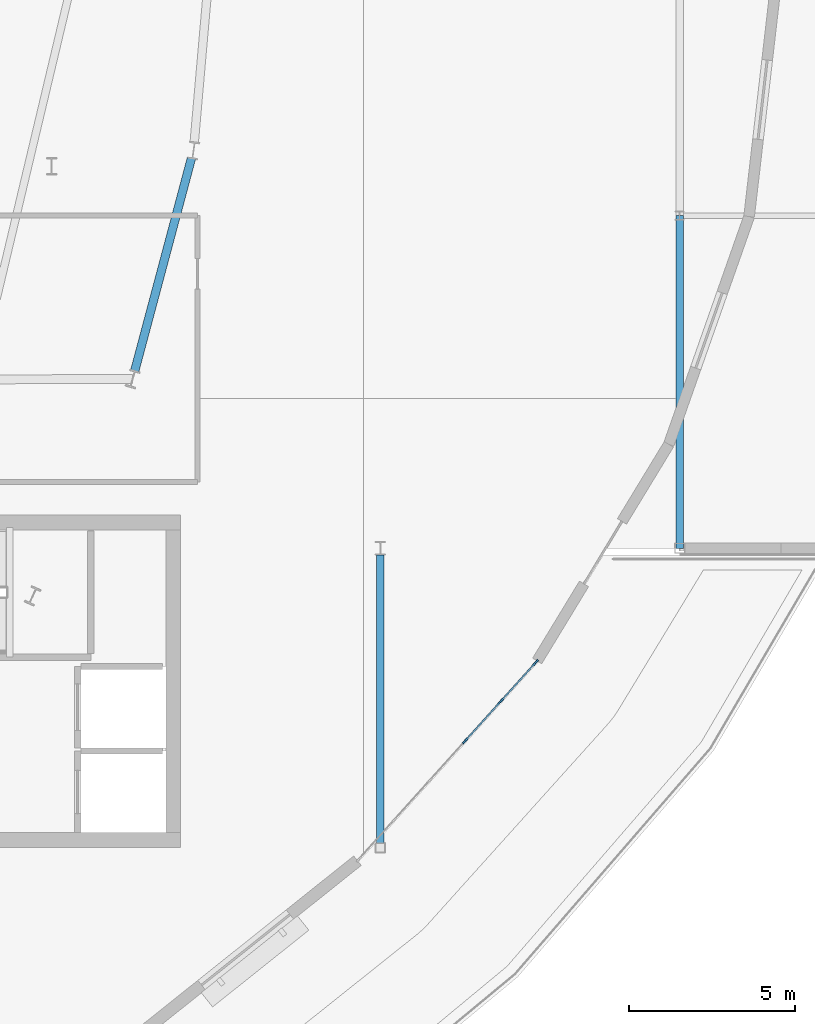
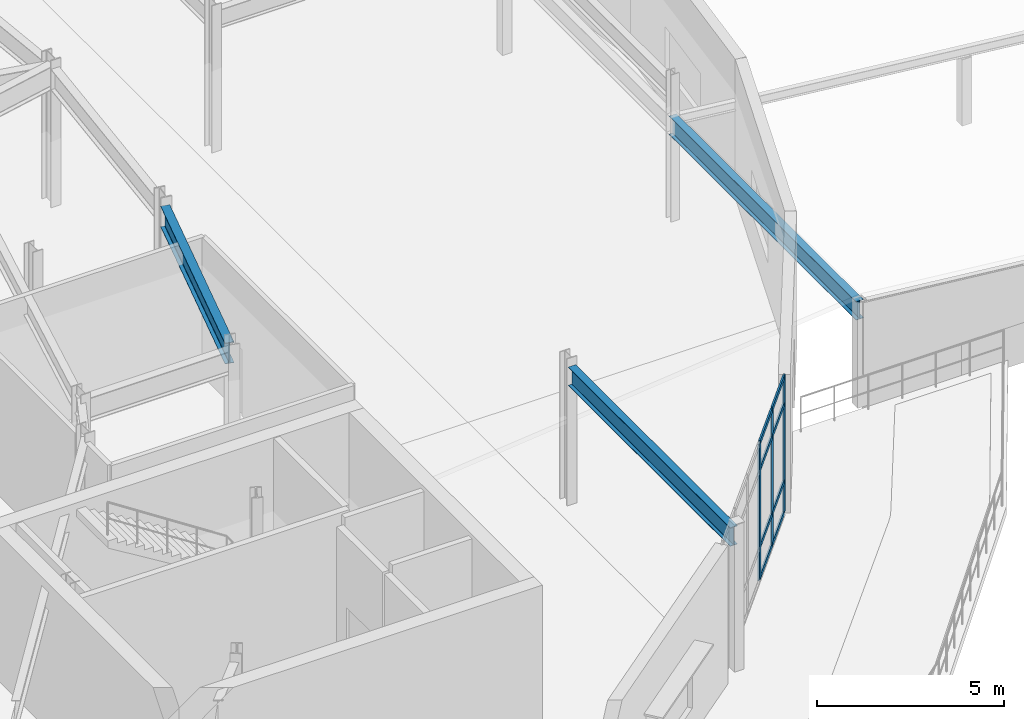
# One storey, part 47 of 84: 11 members, 3 beams, 1 element without a shape of its own.
"""IFC4 building model written with IfcOpenShell, lengths in metres."""

from ifc_helpers import new_model, si_unit, direction, frame, origin, origin_2d, place, context, subcontext, project, spatial, rectangle, i_section, extrude, material, material_profile, profile_set, type_object, element, aggregate, save


model = new_model("IFC4")

# Units and contexts
model_context = context("Model", 3, precision=1e-05, world=origin(), true_north=direction((0.0, 1.0)))
body_context = subcontext(model_context, "Body", "Model", "MODEL_VIEW")
ifc_project = project(units=[si_unit("LENGTHUNIT", "METRE"), si_unit("AREAUNIT", "SQUARE_METRE"), si_unit("VOLUMEUNIT", "CUBIC_METRE"), si_unit("PLANEANGLEUNIT", "RADIAN"), si_unit("MASSUNIT", "GRAM", prefix="KILO")], contexts=[model_context])

# Site, building, storey
site_placement = place(None, origin())
site = spatial("IfcSite", under=ifc_project, at=site_placement, CompositionType="ELEMENT")
building_placement = place(site_placement, origin())
building = spatial("IfcBuilding", under=site, at=building_placement, Name="Glasvene Arena", CompositionType="ELEMENT")
storey_placement = place(building_placement, frame((0.0, 0.0, 10.199951171875)))
storey = spatial("IfcBuildingStorey", under=building, at=storey_placement, Name="L02", CompositionType="ELEMENT", Elevation=10.199951171875)

# Beams
ifc_material_1 = material(Name="Steel S355J2", Category="steel")
ifc_material_profile_1 = material_profile(ifc_material_1, i_section(OverallWidth=0.228271484375, OverallDepth=0.607666015625, WebThickness=0.010986328125, FlangeThickness=0.017333984375, FilletRadius=0.0126953125, at=origin_2d()), Name="UKB 610x229x113")
ifc_profile_set_1 = profile_set([ifc_material_profile_1], Name="Steel S355J2")
beam_type_1 = type_object("IfcBeamType", Name="BM-GIRD-610", PredefinedType="BEAM", material=ifc_profile_set_1)
beam_1_placement = place(storey_placement, frame((147.0, 45.14501953125, 4.21630859375), z_axis=(0.0, 1.0, 0.0), x_axis=(-1.0, 0.0, 0.0)))
element("IfcBeam", 1, at=beam_1_placement, inside=storey, type_object=beam_type_1, Name="Primary Y girder L02-0877", PredefinedType="BEAM", context=body_context, shape_type="SweptSolid", body=[
    extrude(i_section(OverallWidth=0.228271484375, OverallDepth=0.607666015625, WebThickness=0.010986328125, FlangeThickness=0.017333984375, FilletRadius=0.0126953125, at=origin_2d()), origin(), (0.0, 0.0, 1.0), 8.659912109375),
])
beam_2_placement = place(storey_placement, frame((156.0, 54.0, 3.080078125), z_axis=(0.0, 1.0, 0.0), x_axis=(-1.0, 0.0, 0.0)))
element("IfcBeam", 2, at=beam_2_placement, inside=storey, type_object=beam_type_1, Name="Wing roof ridge beam V5-54", PredefinedType="BEAM", context=body_context, shape_type="SweptSolid", body=[
    extrude(i_section(OverallWidth=0.228271484375, OverallDepth=0.607666015625, WebThickness=0.010986328125, FlangeThickness=0.017333984375, FilletRadius=0.0126953125, at=origin_2d()), origin(), (0.0, 0.0, 1.0), 10.0),
])
ifc_material_profile_2 = material_profile(ifc_material_1, i_section(OverallWidth=0.253662109375, OverallDepth=0.68359375, WebThickness=0.012451171875, FlangeThickness=0.01904296875, FilletRadius=0.01513671875, at=origin_2d()), Name="UKB 686x254x140")
ifc_profile_set_2 = profile_set([ifc_material_profile_2], Name="Steel S355J2")
beam_type_2 = type_object("IfcBeamType", Name="BM-GIRD-686", PredefinedType="BEAM", material=ifc_profile_set_2)
beam_3_placement = place(storey_placement, frame((139.61474609375, 59.326171875, 4.178466796875), z_axis=(0.257729153992, 0.966217202901, 0.0), x_axis=(-0.966217202901, 0.257729153992, 0.0)))
element("IfcBeam", 3, at=beam_3_placement, inside=storey, type_object=beam_type_2, Name="Bowl ring chord beam L02-39", PredefinedType="BEAM", context=body_context, shape_type="SweptSolid", body=[
    extrude(i_section(OverallWidth=0.253662109375, OverallDepth=0.68359375, WebThickness=0.012451171875, FlangeThickness=0.01904296875, FilletRadius=0.01513671875, at=origin_2d()), origin(), (0.0, 0.0, 1.0), 6.626220703125),
])

# Curtain wall, members
ifc_material_2 = material(Name="Low-emissivity laminated double glazing", Category="glass")
curtain_wall_type = type_object("IfcCurtainWallType", Name="CW-FAC-L02-800x446", PredefinedType="USERDEFINED", material=ifc_material_2)
curtain_wall_placement = place(storey_placement, frame((151.690673828125, 50.586181640625, 0.0)))
curtain_wall = element("IfcCurtainWall", 4, at=curtain_wall_placement, inside=storey, type_object=curtain_wall_type, Name="Unitised curtain wall CW-F-L02-180-1490-476-40", ObjectType="CURTAIN WALL", PredefinedType="USERDEFINED")
ifc_material_3 = material(Name="Anodised architectural aluminium", Category="aluminium")
ifc_material_profile_3 = material_profile(ifc_material_3, rectangle(XDim=0.050048828125, YDim=0.199951171875, at=origin_2d()), Name="ALU MULLION 50x200")
ifc_profile_set_3 = profile_set([ifc_material_profile_3], Name="Anodised architectural aluminium")
member_type_1 = type_object("IfcMemberType", Name="CW-MUL-180", PredefinedType="MULLION", material=ifc_profile_set_3)
member_1_placement = place(storey_placement, frame((151.673828125, 50.567626953125, 0.06005859375), z_axis=(0.0, 0.0, 1.0), x_axis=(0.743511651788, -0.668722979757, 0.0)))
member_1 = element("IfcMember", 5, at=member_1_placement, type_object=member_type_1, Name="CW-024 mullion 1", PredefinedType="MULLION", context=body_context, shape_type="SweptSolid", body=[
    extrude(rectangle(XDim=0.050048828125, YDim=0.199951171875, at=origin_2d()), origin(), (0.0, 0.0, 1.0), 4.4599609375),
])
member_2_placement = place(storey_placement, frame((150.62060546875, 49.396484375, 0.06005859375), z_axis=(0.0, 0.0, 1.0), x_axis=(0.743511651788, -0.668722979757, 0.0)))
member_2 = element("IfcMember", 6, at=member_2_placement, type_object=member_type_1, Name="CW-024 mullion 2", PredefinedType="MULLION", context=body_context, shape_type="SweptSolid", body=[
    extrude(rectangle(XDim=0.050048828125, YDim=0.199951171875, at=origin_2d()), origin(), (0.0, 0.0, 1.0), 4.4599609375),
])
member_3_placement = place(storey_placement, frame((149.55078125, 48.206787109375, 0.06005859375), z_axis=(0.0, 0.0, 1.0), x_axis=(0.743511651788, -0.668722979757, 0.0)))
member_3 = element("IfcMember", 7, at=member_3_placement, type_object=member_type_1, Name="CW-024 mullion 3", PredefinedType="MULLION", context=body_context, shape_type="SweptSolid", body=[
    extrude(rectangle(XDim=0.050048828125, YDim=0.199951171875, at=origin_2d()), origin(), (0.0, 0.0, 1.0), 4.4599609375),
])
ifc_material_profile_4 = material_profile(ifc_material_3, rectangle(XDim=0.050048828125, YDim=0.14990234375, at=origin_2d()), Name="ALU TRANSOM 50x150")
ifc_profile_set_4 = profile_set([ifc_material_profile_4], Name="Anodised architectural aluminium")
member_type_2 = type_object("IfcMemberType", Name="CW-TRN-150", PredefinedType="USERDEFINED", material=ifc_profile_set_4)
member_4_placement = place(storey_placement, frame((151.6572265625, 50.548828125, 0.0849609375), z_axis=(-0.668734722726, -0.743501089858, 0.0), x_axis=(0.743501089858, -0.668734722726, 0.0)))
member_4 = element("IfcMember", 8, at=member_4_placement, type_object=member_type_2, Name="CW-024 transom 1.1", ObjectType="TRANSOM", PredefinedType="USERDEFINED", context=body_context, shape_type="SweptSolid", body=[
    extrude(rectangle(XDim=0.050048828125, YDim=0.14990234375, at=origin_2d()), origin(), (0.0, 0.0, 1.0), 1.52490234375),
])
member_5_placement = place(storey_placement, frame((151.6572265625, 50.548828125, 1.10009765625), z_axis=(-0.668734722726, -0.743501089858, 0.0), x_axis=(0.743501089858, -0.668734722726, 0.0)))
member_5 = element("IfcMember", 9, at=member_5_placement, type_object=member_type_2, Name="CW-024 transom 1.2", ObjectType="TRANSOM", PredefinedType="USERDEFINED", context=body_context, shape_type="SweptSolid", body=[
    extrude(rectangle(XDim=0.050048828125, YDim=0.14990234375, at=origin_2d()), origin(), (0.0, 0.0, 1.0), 1.52490234375),
])
member_6_placement = place(storey_placement, frame((151.6572265625, 50.548828125, 3.6201171875), z_axis=(-0.668734722726, -0.743501089858, 0.0), x_axis=(0.743501089858, -0.668734722726, 0.0)))
member_6 = element("IfcMember", 10, at=member_6_placement, type_object=member_type_2, Name="CW-024 transom 1.3", ObjectType="TRANSOM", PredefinedType="USERDEFINED", context=body_context, shape_type="SweptSolid", body=[
    extrude(rectangle(XDim=0.050048828125, YDim=0.14990234375, at=origin_2d()), origin(), (0.0, 0.0, 1.0), 1.52490234375),
])
member_7_placement = place(storey_placement, frame((151.6572265625, 50.548828125, 4.4951171875), z_axis=(-0.668734722726, -0.743501089858, 0.0), x_axis=(0.743501089858, -0.668734722726, 0.0)))
member_7 = element("IfcMember", 11, at=member_7_placement, type_object=member_type_2, Name="CW-024 transom 1.4", ObjectType="TRANSOM", PredefinedType="USERDEFINED", context=body_context, shape_type="SweptSolid", body=[
    extrude(rectangle(XDim=0.050048828125, YDim=0.14990234375, at=origin_2d()), origin(), (0.0, 0.0, 1.0), 1.52490234375),
])
member_8_placement = place(storey_placement, frame((150.60400390625, 49.3779296875, 0.0849609375), z_axis=(-0.66879066825, -0.743450766401, 0.0), x_axis=(0.743450766401, -0.66879066825, 0.0)))
member_8 = element("IfcMember", 12, at=member_8_placement, type_object=member_type_2, Name="CW-024 transom 2.1", ObjectType="TRANSOM", PredefinedType="USERDEFINED", context=body_context, shape_type="SweptSolid", body=[
    extrude(rectangle(XDim=0.050048828125, YDim=0.14990234375, at=origin_2d()), origin(), (0.0, 0.0, 1.0), 1.550048828125),
])
member_9_placement = place(storey_placement, frame((150.60400390625, 49.3779296875, 1.10009765625), z_axis=(-0.66879066825, -0.743450766401, 0.0), x_axis=(0.743450766401, -0.66879066825, 0.0)))
member_9 = element("IfcMember", 13, at=member_9_placement, type_object=member_type_2, Name="CW-024 transom 2.2", ObjectType="TRANSOM", PredefinedType="USERDEFINED", context=body_context, shape_type="SweptSolid", body=[
    extrude(rectangle(XDim=0.050048828125, YDim=0.14990234375, at=origin_2d()), origin(), (0.0, 0.0, 1.0), 1.550048828125),
])
member_10_placement = place(storey_placement, frame((150.60400390625, 49.3779296875, 3.6201171875), z_axis=(-0.66879066825, -0.743450766401, 0.0), x_axis=(0.743450766401, -0.66879066825, 0.0)))
member_10 = element("IfcMember", 14, at=member_10_placement, type_object=member_type_2, Name="CW-024 transom 2.3", ObjectType="TRANSOM", PredefinedType="USERDEFINED", context=body_context, shape_type="SweptSolid", body=[
    extrude(rectangle(XDim=0.050048828125, YDim=0.14990234375, at=origin_2d()), origin(), (0.0, 0.0, 1.0), 1.550048828125),
])
member_11_placement = place(storey_placement, frame((150.60400390625, 49.3779296875, 4.4951171875), z_axis=(-0.66879066825, -0.743450766401, 0.0), x_axis=(0.743450766401, -0.66879066825, 0.0)))
member_11 = element("IfcMember", 15, at=member_11_placement, type_object=member_type_2, Name="CW-024 transom 2.4", ObjectType="TRANSOM", PredefinedType="USERDEFINED", context=body_context, shape_type="SweptSolid", body=[
    extrude(rectangle(XDim=0.050048828125, YDim=0.14990234375, at=origin_2d()), origin(), (0.0, 0.0, 1.0), 1.550048828125),
])
aggregate(curtain_wall, [member_1, member_2, member_3, member_4, member_5, member_6, member_7, member_8, member_9, member_10, member_11])

save(model, "model.ifc")
